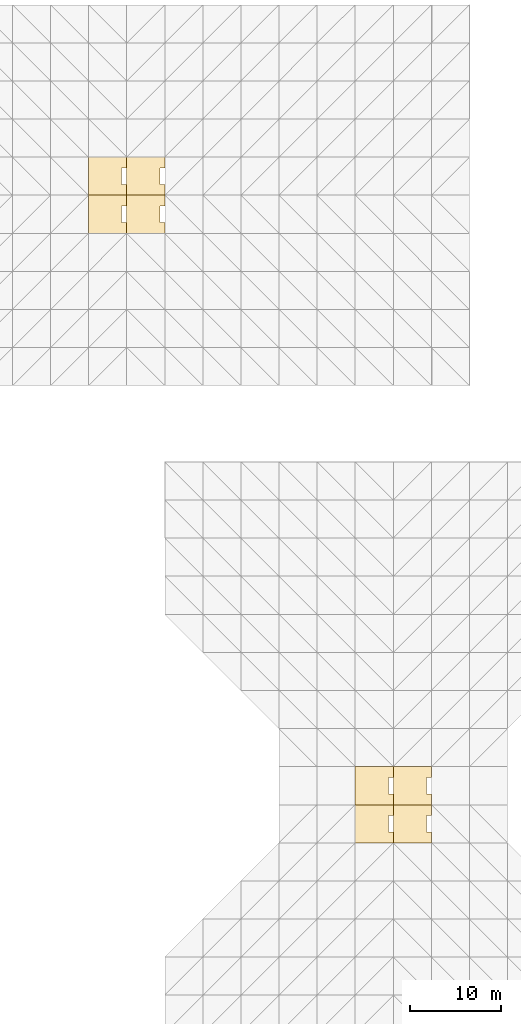
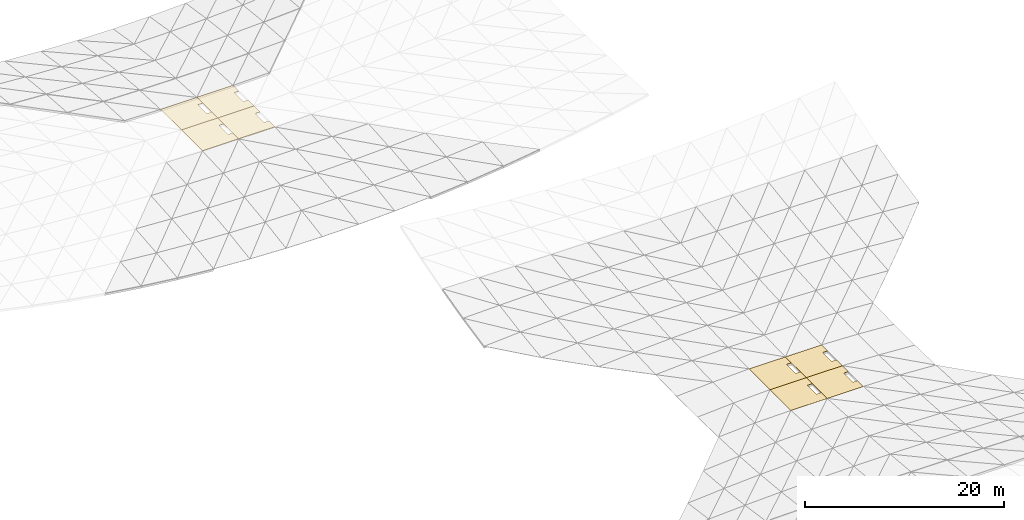
# One storey, part 64 of 64: 8 coverings.
"""IFC4 building model written with IfcOpenShell, lengths in metres."""

import ifcopenshell
import ifcopenshell.guid

model = None  # the IFC model being written
_history = None  # IfcOwnerHistory: only IFC2X3 demands one
_inside = {}  # id of a spatial element -> (the spatial element, [elements in it])
_under = {}  # id of a project, library or spatial element -> (it, [spatial elements below it])
_declared = {}  # id of a project -> (the project, [libraries it declares])
_typed = {}  # id of a type object -> (the type object, [elements of that type])
_made_of = {}  # id of a material, layer set ... -> (it, [elements and type objects made of it])


def new_model(schema):
    """Start an empty IFC model of exactly this schema.

    Asked for "IFC4X3", IfcOpenShell would pick the latest addendum, in which some entities
    have other attributes; the version numbers below select the first issue.
    IFC2X3 requires an IfcOwnerHistory on every rooted entity: one is made here for all.
    """
    global model, _history
    if schema == "IFC4X3":
        model = ifcopenshell.file(schema_version=(4, 3, 0, 0))
    else:
        model = ifcopenshell.file(schema=schema)
    _inside.clear()
    _under.clear()
    _declared.clear()
    _typed.clear()
    _made_of.clear()
    _history = None
    if model.schema == "IFC2X3":
        org = make("IfcOrganization", Name="unknown")
        user = make(
            "IfcPersonAndOrganization",
            ThePerson=make("IfcPerson", FamilyName="unknown"),
            TheOrganization=org,
        )
        app = make(
            "IfcApplication",
            ApplicationDeveloper=org,
            Version="unknown",
            ApplicationFullName="unknown",
            ApplicationIdentifier="unknown",
        )
        _history = make(
            "IfcOwnerHistory",
            OwningUser=user,
            OwningApplication=app,
            ChangeAction="ADDED",
            CreationDate=0,
        )
    return model


def make(cls, **values):
    """One entity of the class cls with the attributes given. An attribute that is None is left unset."""
    return model.create_entity(
        cls, **{name: value for name, value in values.items() if value is not None}
    )


def rooted(cls, **values):
    """An entity with a GlobalId (a new one), such as an element, a storey or a relation."""
    return make(cls, GlobalId=ifcopenshell.guid.new(), OwnerHistory=_history, **values)


def si_unit(unit_type, name, prefix=None):
    """IfcSIUnit, for example si_unit("LENGTHUNIT", "METRE", prefix="MILLI")."""
    return make("IfcSIUnit", UnitType=unit_type, Prefix=prefix, Name=name)


def assignment(units):
    """IfcUnitAssignment: the units of a project."""
    return None if units is None else make("IfcUnitAssignment", Units=units)


def point(xyz):
    """IfcCartesianPoint."""
    return None if xyz is None else make("IfcCartesianPoint", Coordinates=xyz)


def direction(xyz):
    """IfcDirection."""
    return None if xyz is None else make("IfcDirection", DirectionRatios=xyz)


def frame(location, z_axis=None, x_axis=None):
    """IfcAxis2Placement3D, a coordinate frame: its origin and axes. An axis left out is left unset."""
    return make(
        "IfcAxis2Placement3D",
        Location=point(location),
        Axis=direction(z_axis),
        RefDirection=direction(x_axis),
    )


def origin():
    """The frame at (0, 0, 0) with its axes left unset."""
    return frame((0.0, 0.0, 0.0))


def place(relative_to, where):
    """IfcLocalPlacement: puts the frame where relative to a parent placement (None: the world)."""
    return make(
        "IfcLocalPlacement", PlacementRelTo=relative_to, RelativePlacement=where
    )


def context(
    kind, dimensions, precision=None, world=None, true_north=None, identifier=None
):
    """IfcGeometricRepresentationContext, for example the 3D "Model" context."""
    return make(
        "IfcGeometricRepresentationContext",
        ContextIdentifier=identifier,
        ContextType=kind,
        CoordinateSpaceDimension=dimensions,
        Precision=precision,
        WorldCoordinateSystem=world,
        TrueNorth=true_north,
    )


def subcontext(parent, identifier, kind, view, scale=None):
    """IfcGeometricRepresentationSubContext, for example "Body" below "Model"."""
    return make(
        "IfcGeometricRepresentationSubContext",
        ContextIdentifier=identifier,
        ContextType=kind,
        ParentContext=parent,
        TargetScale=scale,
        TargetView=view,
    )


def project(units=None, contexts=None):
    """IfcProject with its units and contexts."""
    return rooted(
        "IfcProject",
        Name="project",
        RepresentationContexts=contexts,
        UnitsInContext=assignment(units),
    )


def spatial(cls, under=None, at=None, **own):
    """A site, building, storey or space (cls), placed at a placement, below another one or the project."""
    s = rooted(cls, ObjectPlacement=at, **own)
    if under is not None:
        _under.setdefault(under.id(), (under, []))[1].append(s)
    return s


def polyline(points):
    """IfcPolyline through the points."""
    return make("IfcPolyline", Points=[point(p) for p in points])


def outline(outer, holes=None, kind="AREA"):
    """IfcArbitraryClosedProfileDef: a profile drawn as a closed curve; with holes, ...WithVoids."""
    if holes is None:
        return make("IfcArbitraryClosedProfileDef", ProfileType=kind, OuterCurve=outer)
    return make(
        "IfcArbitraryProfileDefWithVoids",
        ProfileType=kind,
        OuterCurve=outer,
        InnerCurves=holes,
    )


def extrude(swept, where, along, depth):
    """IfcExtrudedAreaSolid: the profile swept, set in the frame where, extruded along a direction by depth."""
    return make(
        "IfcExtrudedAreaSolid",
        SweptArea=swept,
        Position=where,
        ExtrudedDirection=direction(along),
        Depth=depth,
    )


def shape(context_of_items, identifier, shape_type, items):
    """IfcShapeRepresentation: the items that make up one representation, for example the "Body"."""
    return make(
        "IfcShapeRepresentation",
        ContextOfItems=context_of_items,
        RepresentationIdentifier=identifier,
        RepresentationType=shape_type,
        Items=items,
    )


def material(Name=None, Category=None):
    """IfcMaterial."""
    return make("IfcMaterial", Name=Name, Category=Category)


def layer(
    of_material, thickness, ventilated=None, Name=None, Category=None, Priority=None
):
    """IfcMaterialLayer: one layer of a wall or slab, of a material (None: an air gap)."""
    return make(
        "IfcMaterialLayer",
        Material=of_material,
        LayerThickness=thickness,
        IsVentilated=ventilated,
        Name=Name,
        Category=Category,
        Priority=Priority,
    )


def layer_set(layers, Name=None):
    """IfcMaterialLayerSet."""
    return make("IfcMaterialLayerSet", MaterialLayers=layers, LayerSetName=Name)


def made_of(thing, what):
    """Note that an element or type object is made of a material, layer set ...; save() writes the relation."""
    if what is not None:
        _made_of.setdefault(what.id(), (what, []))[1].append(thing)
    return thing


def type_object(cls, material=None, **own):
    """A type object (cls), such as IfcWallType, which elements share."""
    return made_of(rooted(cls, **own), material)


def element(
    cls,
    number,
    at=None,
    inside=None,
    cuts=None,
    type_object=None,
    material=None,
    context=None,
    identifier="Body",
    shape_type=None,
    held_by="IfcProductDefinitionShape",
    body=None,
    shapes=None,
    **own,
):
    """One element of the class cls, such as IfcWall. Its Tag is "e" and its number.

    at: its placement. inside: the storey or other place that contains it. cuts: it is an
    opening in that element (IfcRelVoidsElement). A single representation is given by context,
    identifier, shape_type and body (its items); several are given by shapes. held_by: the class
    of the entity that holds the representations. save() writes the other relations.
    """
    e = rooted(cls, Tag="e%d" % number, ObjectPlacement=at, **own)
    if body is not None:
        shapes = [shape(context, identifier, shape_type, body)]
    if shapes is not None:
        e.Representation = make(held_by, Representations=shapes)
    if inside is not None:
        _inside.setdefault(inside.id(), (inside, []))[1].append(e)
    if cuts is not None:
        rooted(
            "IfcRelVoidsElement", RelatingBuildingElement=cuts, RelatedOpeningElement=e
        )
    if type_object is not None:
        _typed.setdefault(type_object.id(), (type_object, []))[1].append(e)
    return made_of(e, material)


def aggregate(whole, parts):
    """IfcRelAggregates: a whole, such as a stair, and the parts it consists of."""
    return rooted("IfcRelAggregates", RelatingObject=whole, RelatedObjects=parts)


def save(model, path):
    """Write the relations noted so far, then the file.

    IfcRelAggregates (storeys below a building ...), IfcRelContainedInSpatialStructure (elements
    in a storey), IfcRelDefinesByType, IfcRelAssociatesMaterial and IfcRelDeclares: one each for
    every whole, place, type object, material and project.
    """
    for whole, parts in _under.values():
        aggregate(whole, parts)
    for where, things in _inside.values():
        rooted(
            "IfcRelContainedInSpatialStructure",
            RelatedElements=things,
            RelatingStructure=where,
        )
    for kind, things in _typed.values():
        rooted("IfcRelDefinesByType", RelatedObjects=things, RelatingType=kind)
    for what, things in _made_of.values():
        rooted("IfcRelAssociatesMaterial", RelatedObjects=things, RelatingMaterial=what)
    for by, libraries in _declared.values():
        rooted("IfcRelDeclares", RelatingContext=by, RelatedDefinitions=libraries)
    model.write(path)


model = new_model("IFC4")

# Units and contexts
model_context = context("Model", 3, precision=1e-05, world=origin(), true_north=direction((0.0, 1.0)))
body_context = subcontext(model_context, "Body", "Model", "MODEL_VIEW")
ifc_project = project(units=[si_unit("LENGTHUNIT", "METRE"), si_unit("AREAUNIT", "SQUARE_METRE"), si_unit("VOLUMEUNIT", "CUBIC_METRE"), si_unit("PLANEANGLEUNIT", "RADIAN"), si_unit("MASSUNIT", "GRAM", prefix="KILO")], contexts=[model_context])

# Site, building, storey
site_placement = place(None, origin())
site = spatial("IfcSite", under=ifc_project, at=site_placement, CompositionType="ELEMENT")
building_placement = place(site_placement, origin())
building = spatial("IfcBuilding", under=site, at=building_placement, Name="Cumbredor Promenade Congress Hotel", CompositionType="ELEMENT")
storey_placement = place(building_placement, frame((0.0, 0.0, 18.47998046875)))
storey = spatial("IfcBuildingStorey", under=building, at=storey_placement, Name="L05", CompositionType="ELEMENT", Elevation=18.47998046875)

# Coverings
ifc_material = material(Name="Standing-seam zinc-aluminium roofing", Category="aluminium")
ifc_layer = layer(ifc_material, 0.044921875, Name="Standing-seam zinc-aluminium roofing", Category="aluminium")
ifc_layer_set = layer_set([ifc_layer], Name="Standing-seam zinc-aluminium roofing")
covering_type = type_object("IfcCoveringType", Name="Standing Seam Patinated Bronze-Zinc Flashing 45mm", PredefinedType="ROOFING", material=ifc_layer_set)
covering_1_placement = place(storey_placement, frame((0.0, 0.0, 0.17724609375)))
element("IfcCovering", 1, at=covering_1_placement, inside=storey, type_object=covering_type, Name="Grand Ballroom Pavilion Saddle Standing Seam Flashing 6.8", PredefinedType="ROOFING", context=body_context, shape_type="SweptSolid", body=[
    extrude(outline(polyline([(159.60009765625, 29.39990234375), (163.800048828125, 29.39990234375), (163.800048828125, 30.60009765625), (163.25, 30.60009765625), (163.25, 32.39990234375), (163.800048828125, 32.39990234375), (163.800048828125, 33.60009765625), (159.60009765625, 33.60009765625), (159.60009765625, 29.39990234375)])), origin(), (0.0, 0.0, 1.0), 0.045166015625),
])
covering_2_placement = place(storey_placement, frame((0.0, 0.0, 0.17724609375)))
element("IfcCovering", 2, at=covering_2_placement, inside=storey, type_object=covering_type, Name="Grand Ballroom Pavilion Saddle Standing Seam Flashing 6.9", PredefinedType="ROOFING", context=body_context, shape_type="SweptSolid", body=[
    extrude(outline(polyline([(159.60009765625, 33.60009765625), (163.800048828125, 33.60009765625), (163.800048828125, 34.800048828125), (163.25, 34.800048828125), (163.25, 36.60009765625), (163.800048828125, 36.60009765625), (163.800048828125, 37.800048828125), (159.60009765625, 37.800048828125), (159.60009765625, 33.60009765625)])), origin(), (0.0, 0.0, 1.0), 0.045166015625),
])
covering_3_placement = place(storey_placement, frame((0.0, 0.0, 0.17724609375)))
element("IfcCovering", 3, at=covering_3_placement, inside=storey, type_object=covering_type, Name="Grand Ballroom Pavilion Saddle Standing Seam Flashing 7.8", PredefinedType="ROOFING", context=body_context, shape_type="SweptSolid", body=[
    extrude(outline(polyline([(163.800048828125, 29.39990234375), (168.0, 29.39990234375), (168.0, 30.60009765625), (167.449951171875, 30.60009765625), (167.449951171875, 32.39990234375), (168.0, 32.39990234375), (168.0, 33.60009765625), (163.800048828125, 33.60009765625), (163.800048828125, 29.39990234375)])), origin(), (0.0, 0.0, 1.0), 0.045166015625),
])
covering_4_placement = place(storey_placement, frame((0.0, 0.0, 0.17724609375)))
element("IfcCovering", 4, at=covering_4_placement, inside=storey, type_object=covering_type, Name="Grand Ballroom Pavilion Saddle Standing Seam Flashing 7.9", PredefinedType="ROOFING", context=body_context, shape_type="SweptSolid", body=[
    extrude(outline(polyline([(163.800048828125, 33.60009765625), (168.0, 33.60009765625), (168.0, 34.800048828125), (167.449951171875, 34.800048828125), (167.449951171875, 36.60009765625), (168.0, 36.60009765625), (168.0, 37.800048828125), (163.800048828125, 37.800048828125), (163.800048828125, 33.60009765625)])), origin(), (0.0, 0.0, 1.0), 0.045166015625),
])
covering_5_placement = place(storey_placement, frame((0.0, 0.0, 1.5439453125)))
element("IfcCovering", 5, at=covering_5_placement, inside=storey, type_object=covering_type, Name="Pre-Function and Breakout Meeting Forum Saddle Standing Seam Flashing 11.5", PredefinedType="ROOFING", context=body_context, shape_type="SweptSolid", body=[
    extrude(outline(polyline([(130.199951171875, 96.60009765625), (134.39990234375, 96.60009765625), (134.39990234375, 97.800048828125), (133.85009765625, 97.800048828125), (133.85009765625, 99.60009765625), (134.39990234375, 99.60009765625), (134.39990234375, 100.800048828125), (130.199951171875, 100.800048828125), (130.199951171875, 96.60009765625)])), origin(), (0.0, 0.0, 1.0), 0.045166015625),
])
covering_6_placement = place(storey_placement, frame((0.0, 0.0, 1.5439453125)))
element("IfcCovering", 6, at=covering_6_placement, inside=storey, type_object=covering_type, Name="Pre-Function and Breakout Meeting Forum Saddle Standing Seam Flashing 11.6", PredefinedType="ROOFING", context=body_context, shape_type="SweptSolid", body=[
    extrude(outline(polyline([(130.199951171875, 100.800048828125), (134.39990234375, 100.800048828125), (134.39990234375, 102.0), (133.85009765625, 102.0), (133.85009765625, 103.800048828125), (134.39990234375, 103.800048828125), (134.39990234375, 105.0), (130.199951171875, 105.0), (130.199951171875, 100.800048828125)])), origin(), (0.0, 0.0, 1.0), 0.045166015625),
])
covering_7_placement = place(storey_placement, frame((0.0, 0.0, 1.5439453125)))
element("IfcCovering", 7, at=covering_7_placement, inside=storey, type_object=covering_type, Name="Pre-Function and Breakout Meeting Forum Saddle Standing Seam Flashing 12.5", PredefinedType="ROOFING", context=body_context, shape_type="SweptSolid", body=[
    extrude(outline(polyline([(134.39990234375, 96.60009765625), (138.60009765625, 96.60009765625), (138.60009765625, 97.800048828125), (138.050048828125, 97.800048828125), (138.050048828125, 99.60009765625), (138.60009765625, 99.60009765625), (138.60009765625, 100.800048828125), (134.39990234375, 100.800048828125), (134.39990234375, 96.60009765625)])), origin(), (0.0, 0.0, 1.0), 0.045166015625),
])
covering_8_placement = place(storey_placement, frame((0.0, 0.0, 1.5439453125)))
element("IfcCovering", 8, at=covering_8_placement, inside=storey, type_object=covering_type, Name="Pre-Function and Breakout Meeting Forum Saddle Standing Seam Flashing 12.6", PredefinedType="ROOFING", context=body_context, shape_type="SweptSolid", body=[
    extrude(outline(polyline([(134.39990234375, 100.800048828125), (138.60009765625, 100.800048828125), (138.60009765625, 102.0), (138.050048828125, 102.0), (138.050048828125, 103.800048828125), (138.60009765625, 103.800048828125), (138.60009765625, 105.0), (134.39990234375, 105.0), (134.39990234375, 100.800048828125)])), origin(), (0.0, 0.0, 1.0), 0.045166015625),
])

save(model, "model.ifc")
